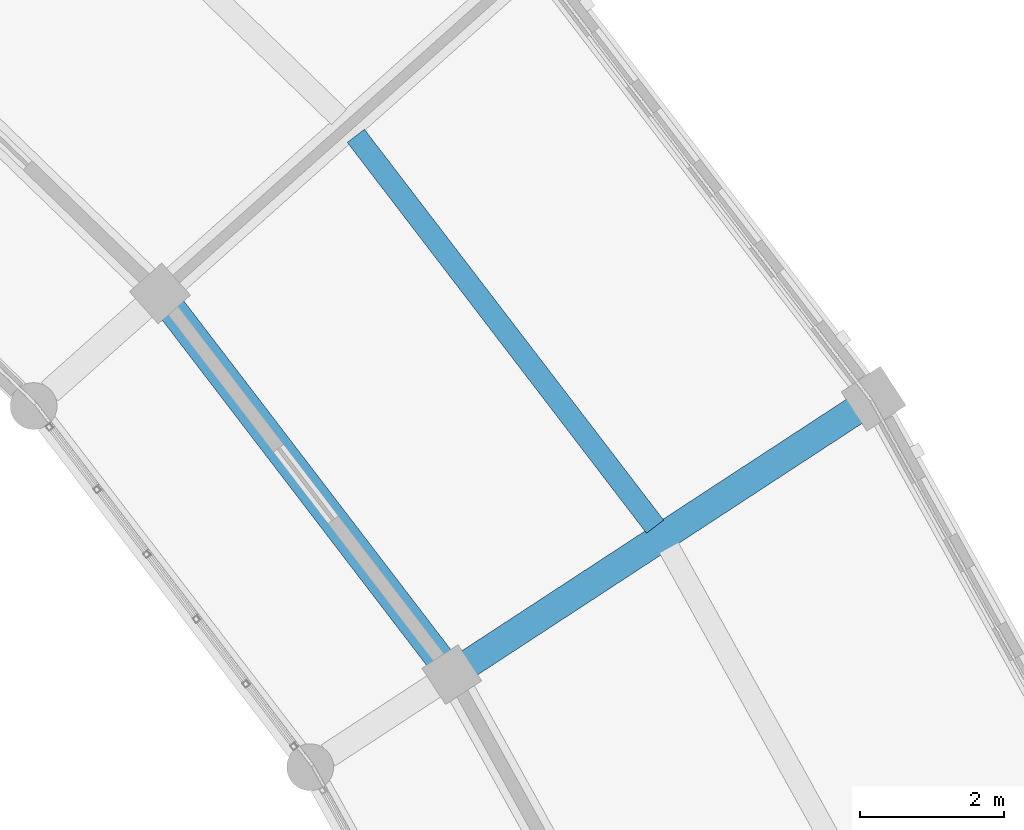
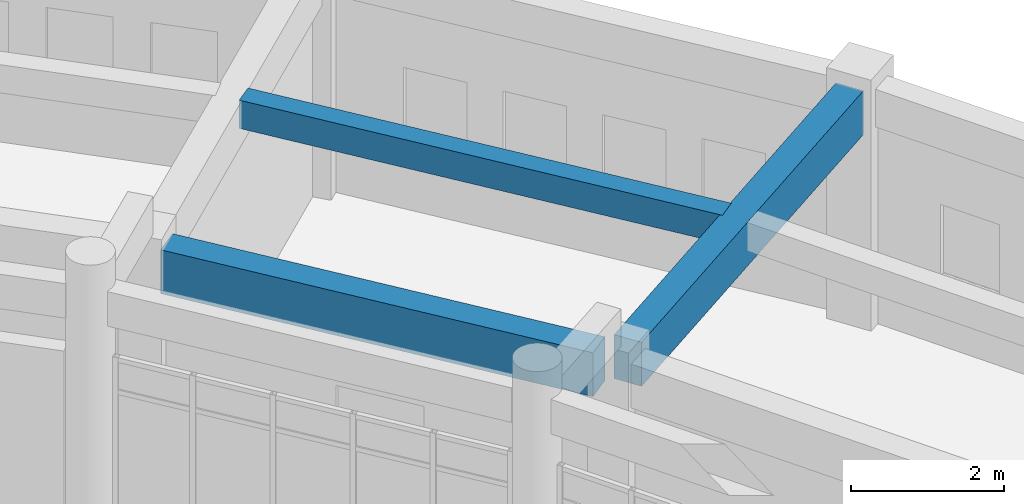
# One storey, part 78 of 159: 3 beams.
"""IFC4 building model written with IfcOpenShell, lengths in metres."""

from ifc_helpers import new_model, si_unit, direction, frame, origin, origin_2d, place, context, subcontext, project, spatial, rectangle, extrude, material, material_profile, profile_set, type_object, element, save


model = new_model("IFC4")

# Units and contexts
model_context = context("Model", 3, precision=1e-05, world=origin(), true_north=direction((0.0, 1.0)))
body_context = subcontext(model_context, "Body", "Model", "MODEL_VIEW")
ifc_project = project(units=[si_unit("LENGTHUNIT", "METRE"), si_unit("AREAUNIT", "SQUARE_METRE"), si_unit("VOLUMEUNIT", "CUBIC_METRE"), si_unit("PLANEANGLEUNIT", "RADIAN"), si_unit("MASSUNIT", "GRAM", prefix="KILO")], contexts=[model_context])

# Site, building, storey
site_placement = place(None, origin())
site = spatial("IfcSite", under=ifc_project, at=site_placement, CompositionType="ELEMENT")
building_placement = place(site_placement, origin())
building = spatial("IfcBuilding", under=site, at=building_placement, Name="Celadon Cloister-Ring School", CompositionType="ELEMENT")
storey_placement = place(building_placement, frame((0.0, 0.0, 4.5)))
storey = spatial("IfcBuildingStorey", under=building, at=storey_placement, Name="L01", CompositionType="ELEMENT", Elevation=4.5)

# Beams
ifc_material_1 = material(Name="Concrete C35/45", Category="concrete")
ifc_material_profile_1 = material_profile(ifc_material_1, rectangle(XDim=0.39990234375, YDim=0.699951171875, at=origin_2d()), Name="RC400X700")
ifc_profile_set_1 = profile_set([ifc_material_profile_1], Name="Concrete C35/45")
beam_type_1 = type_object("IfcBeamType", Name="GT-03", PredefinedType="USERDEFINED", material=ifc_profile_set_1)
beam_1_placement = place(storey_placement, frame((130.264892578125, 87.302978515625, 3.429931640625), z_axis=(-0.83687052952, -0.547400873968, 0.0), x_axis=(0.547400873968, -0.83687052952, 0.0)))
element("IfcBeam", 1, at=beam_1_placement, inside=storey, type_object=beam_type_1, Name="Beam 0259", ObjectType="GIRDER", PredefinedType="USERDEFINED", context=body_context, shape_type="SweptSolid", body=[
    extrude(rectangle(XDim=0.39990234375, YDim=0.699951171875, at=origin_2d()), origin(), (0.0, 0.0, 1.0), 6.425048828125),
])
beam_2_placement = place(storey_placement, frame((124.490966796875, 83.85302734375, 3.429931640625), z_axis=(-0.607952175089, 0.793973647425, 0.0), x_axis=(-0.793973647425, -0.607952175089, 0.0)))
element("IfcBeam", 2, at=beam_2_placement, inside=storey, type_object=beam_type_1, Name="Beam 0386", ObjectType="GIRDER", PredefinedType="USERDEFINED", context=body_context, shape_type="SweptSolid", body=[
    extrude(rectangle(XDim=0.39990234375, YDim=0.699951171875, at=origin_2d()), origin(), (0.0, 0.0, 1.0), 6.1171875),
])
ifc_material_2 = material(Name="Concrete C35/45", Category="concrete")
ifc_material_profile_2 = material_profile(ifc_material_2, rectangle(XDim=0.300048828125, YDim=0.449951171875, at=origin_2d()), Name="RC300X450")
ifc_profile_set_2 = profile_set([ifc_material_profile_2], Name="Concrete C35/45")
beam_type_2 = type_object("IfcBeamType", Name="JT-01", PredefinedType="JOIST", material=ifc_profile_set_2)
beam_3_placement = place(storey_placement, frame((127.48095703125, 85.68994140625, 3.554931640625), z_axis=(-0.607998808463, 0.793937937692, 0.0), x_axis=(-0.793937937692, -0.607998808463, 0.0)))
element("IfcBeam", 3, at=beam_3_placement, inside=storey, type_object=beam_type_2, Name="Beam 0388", PredefinedType="JOIST", context=body_context, shape_type="SweptSolid", body=[
    extrude(rectangle(XDim=0.300048828125, YDim=0.449951171875, at=origin_2d()), origin(), (0.0, 0.0, 1.0), 6.83544921875),
])

save(model, "model.ifc")
